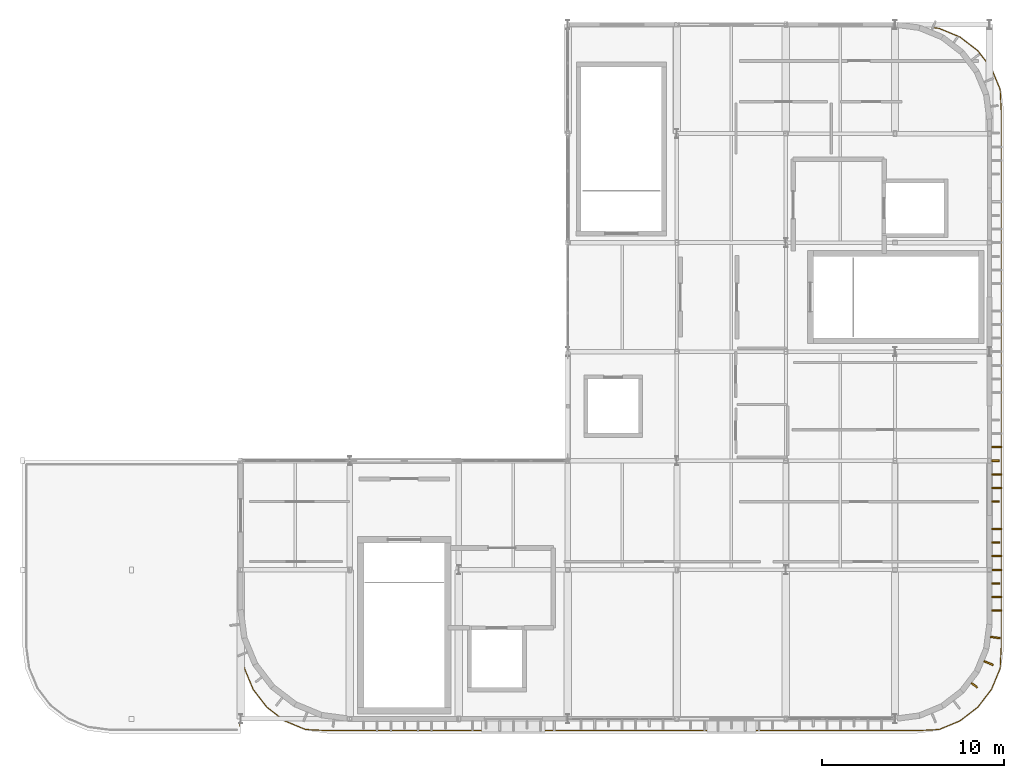
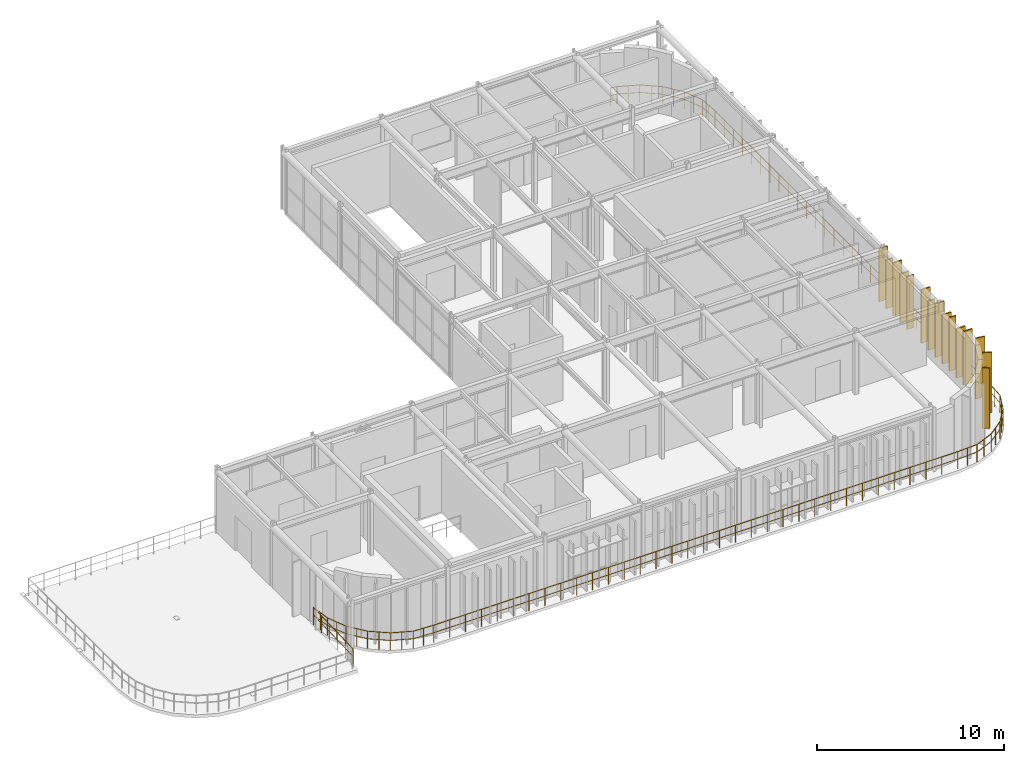
# One storey, part 13 of 14: 15 coverings, 1 railing.
"""IFC4 building model written with IfcOpenShell, lengths in metres."""

from ifc_helpers import new_model, si_unit, direction, frame, origin, origin_2d, place, context, subcontext, project, spatial, rectangle, circle, extrude, material, layer, layer_set, type_object, element, save


model = new_model("IFC4")

# Units and contexts
model_context = context("Model", 3, precision=1e-05, world=origin(), true_north=direction((0.0, 1.0)))
body_context = subcontext(model_context, "Body", "Model", "MODEL_VIEW")
ifc_project = project(units=[si_unit("LENGTHUNIT", "METRE"), si_unit("AREAUNIT", "SQUARE_METRE"), si_unit("VOLUMEUNIT", "CUBIC_METRE"), si_unit("PLANEANGLEUNIT", "RADIAN"), si_unit("MASSUNIT", "GRAM", prefix="KILO")], contexts=[model_context])

# Site, building, storey
site_placement = place(None, origin())
site = spatial("IfcSite", under=ifc_project, at=site_placement, CompositionType="ELEMENT")
building_placement = place(site_placement, origin())
building = spatial("IfcBuilding", under=site, at=building_placement, Name="Varnakota Square Police Headquarters", CompositionType="ELEMENT")
storey_placement = place(building_placement, frame((0.0, 0.0, 30.0)))
storey = spatial("IfcBuildingStorey", under=building, at=storey_placement, Name="L07", CompositionType="ELEMENT", Elevation=30.0)

# Coverings
ifc_material_1 = material(Name="White Anodised Aluminium Vertical Facade Blade 420", Category="aluminium")
ifc_layer_1 = layer(ifc_material_1, 0.0849609375, Name="White Anodised Aluminium Vertical Facade Blade 420")
ifc_layer_set_1 = layer_set([ifc_layer_1], Name="White Anodised Aluminium Vertical Facade Blade 420")
covering_type_1 = type_object("IfcCoveringType", Name="COV-FIN-420", PredefinedType="CLADDING", material=ifc_layer_set_1)
covering_1_placement = place(storey_placement, frame((161.544921875, 8.25, 0.0400390625), z_axis=(0.0, 0.0, 1.0), x_axis=(0.0, 1.0, 0.0)))
element("IfcCovering", 1, at=covering_1_placement, inside=storey, type_object=covering_type_1, Name="Vertical aluminium facade fin FIN-0854", PredefinedType="CLADDING", context=body_context, shape_type="SweptSolid", body=[
    extrude(rectangle(XDim=0.0849609375, YDim=0.419921875, at=origin_2d()), origin(), (0.0, 0.0, 1.0), 3.5),
])
covering_2_placement = place(storey_placement, frame((161.544921875, 10.5, 0.0400390625), z_axis=(0.0, 0.0, 1.0), x_axis=(0.0, 1.0, 0.0)))
element("IfcCovering", 2, at=covering_2_placement, inside=storey, type_object=covering_type_1, Name="Vertical aluminium facade fin FIN-0857", PredefinedType="CLADDING", context=body_context, shape_type="SweptSolid", body=[
    extrude(rectangle(XDim=0.0849609375, YDim=0.419921875, at=origin_2d()), origin(), (0.0, 0.0, 1.0), 3.219970703125),
])
covering_3_placement = place(storey_placement, frame((161.52490234375, 12.75, 0.0400390625), z_axis=(0.0, 0.0, 1.0), x_axis=(0.0, 1.0, 0.0)))
element("IfcCovering", 3, at=covering_3_placement, inside=storey, type_object=covering_type_1, Name="Vertical aluminium facade fin FIN-0859", PredefinedType="CLADDING", context=body_context, shape_type="SweptSolid", body=[
    extrude(rectangle(XDim=0.0849609375, YDim=0.419921875, at=origin_2d()), origin(), (0.0, 0.0, 1.0), 3.449951171875),
])
covering_4_placement = place(storey_placement, frame((161.52490234375, 15.0, 0.0400390625), z_axis=(0.0, 0.0, 1.0), x_axis=(0.0, 1.0, 0.0)))
element("IfcCovering", 4, at=covering_4_placement, inside=storey, type_object=covering_type_1, Name="Vertical aluminium facade fin FIN-0862", PredefinedType="CLADDING", context=body_context, shape_type="SweptSolid", body=[
    extrude(rectangle(XDim=0.0849609375, YDim=0.419921875, at=origin_2d()), origin(), (0.0, 0.0, 1.0), 3.169921875),
])
covering_5_placement = place(storey_placement, frame((160.371826171875, 2.6455078125, 0.0400390625), z_axis=(0.0, 0.0, 1.0), x_axis=(0.608761429009, 0.793353340291, 0.0)))
element("IfcCovering", 5, at=covering_5_placement, inside=storey, type_object=covering_type_1, Name="Vertical aluminium facade fin FIN-0892", PredefinedType="CLADDING", context=body_context, shape_type="SweptSolid", body=[
    extrude(rectangle(XDim=0.0849609375, YDim=0.419921875, at=origin_2d()), origin(), (0.0, 0.0, 1.0), 3.955078125),
])
ifc_material_2 = material(Name="White Anodised Aluminium Vertical Facade Blade 550", Category="aluminium")
ifc_layer_2 = layer(ifc_material_2, 0.0849609375, Name="White Anodised Aluminium Vertical Facade Blade 550")
ifc_layer_set_2 = layer_set([ifc_layer_2], Name="White Anodised Aluminium Vertical Facade Blade 550")
covering_type_2 = type_object("IfcCoveringType", Name="COV-FIN-550", PredefinedType="CLADDING", material=ifc_layer_set_2)
covering_6_placement = place(storey_placement, frame((161.610107421875, 6.75, 0.0400390625), z_axis=(0.0, 0.0, 1.0), x_axis=(0.0, 1.0, 0.0)))
element("IfcCovering", 6, at=covering_6_placement, inside=storey, type_object=covering_type_2, Name="Vertical aluminium facade fin FIN-0852", PredefinedType="CLADDING", context=body_context, shape_type="SweptSolid", body=[
    extrude(rectangle(XDim=0.0849609375, YDim=0.550048828125, at=origin_2d()), origin(), (0.0, 0.0, 1.0), 3.5),
])
for number, where, z_axis, x_axis, name in (
    (7, (161.610107421875, 7.5, 0.0400390625), (0.0, 0.0, 1.0), (0.0, 1.0, 0.0), "Vertical aluminium facade fin FIN-0853"),
    (8, (161.610107421875, 9.0, 0.0400390625), (0.0, 0.0, 1.0), (0.0, 1.0, 0.0), "Vertical aluminium facade fin FIN-0855"),
):
    element("IfcCovering", number, at=place(storey_placement, frame(where, z_axis=z_axis, x_axis=x_axis)), inside=storey, type_object=covering_type_2, Name=name, PredefinedType="CLADDING", context=body_context, shape_type="SweptSolid", body=[
        extrude(rectangle(XDim=0.0849609375, YDim=0.550048828125, at=origin_2d()), origin(), (0.0, 0.0, 1.0), 3.219970703125),
    ])
for number, where, z_axis, x_axis, name in (
    (9, (161.610107421875, 9.75, 0.0400390625), (0.0, 0.0, 1.0), (0.0, 1.0, 0.0), "Vertical aluminium facade fin FIN-0856"),
    (10, (161.610107421875, 11.25, 0.0400390625), (0.0, 0.0, 1.0), (0.0, 1.0, 0.0), "Vertical aluminium facade fin FIN-0858"),
):
    element("IfcCovering", number, at=place(storey_placement, frame(where, z_axis=z_axis, x_axis=x_axis)), inside=storey, type_object=covering_type_2, Name=name, PredefinedType="CLADDING", context=body_context, shape_type="SweptSolid", body=[
        extrude(rectangle(XDim=0.0849609375, YDim=0.550048828125, at=origin_2d()), origin(), (0.0, 0.0, 1.0), 3.5),
    ])
covering_7_placement = place(storey_placement, frame((161.590087890625, 13.5, 0.0400390625), z_axis=(0.0, 0.0, 1.0), x_axis=(0.0, 1.0, 0.0)))
element("IfcCovering", 11, at=covering_7_placement, inside=storey, type_object=covering_type_2, Name="Vertical aluminium facade fin FIN-0860", PredefinedType="CLADDING", context=body_context, shape_type="SweptSolid", body=[
    extrude(rectangle(XDim=0.0849609375, YDim=0.550048828125, at=origin_2d()), origin(), (0.0, 0.0, 1.0), 3.169921875),
])
for number, where, z_axis, x_axis, name in (
    (12, (161.590087890625, 14.25, 0.0400390625), (0.0, 0.0, 1.0), (0.0, 1.0, 0.0), "Vertical aluminium facade fin FIN-0861"),
    (13, (161.590087890625, 15.75, 0.0400390625), (0.0, 0.0, 1.0), (0.0, 1.0, 0.0), "Vertical aluminium facade fin FIN-0863"),
):
    element("IfcCovering", number, at=place(storey_placement, frame(where, z_axis=z_axis, x_axis=x_axis)), inside=storey, type_object=covering_type_2, Name=name, PredefinedType="CLADDING", context=body_context, shape_type="SweptSolid", body=[
        extrude(rectangle(XDim=0.0849609375, YDim=0.550048828125, at=origin_2d()), origin(), (0.0, 0.0, 1.0), 3.449951171875),
    ])
for number, where, z_axis, x_axis, name in (
    (14, (161.151123046875, 3.8662109375, 0.0400390625), (0.0, 0.0, 1.0), (0.382683432365, 0.923879532511, 0.0), "Vertical aluminium facade fin FIN-0893"),
    (15, (161.52783203125, 5.272216796875, 0.0400390625), (0.0, 0.0, 1.0), (0.13052619222, 0.991444861374, 0.0), "Vertical aluminium facade fin FIN-0894"),
):
    element("IfcCovering", number, at=place(storey_placement, frame(where, z_axis=z_axis, x_axis=x_axis)), inside=storey, type_object=covering_type_2, Name=name, PredefinedType="CLADDING", context=body_context, shape_type="SweptSolid", body=[
        extrude(rectangle(XDim=0.0849609375, YDim=0.550048828125, at=origin_2d()), origin(), (0.0, 0.0, 1.0), 3.955078125),
    ])

# Railing
ifc_material_3 = material(Name="Galvanised Powder-Coated Steel Guardrail", Category="steel")
railing_type = type_object("IfcRailingType", Name="RL-BAL-1150", PredefinedType="BALUSTRADE", material=ifc_material_3)
railing_placement = place(storey_placement, frame((158.076171875, 38.834228515625, 0.0)))
element("IfcRailing", 16, at=railing_placement, inside=storey, type_object=railing_type, Name="Perimeter edge safety guard GD-AUTO-L07-094", PredefinedType="BALUSTRADE", context=body_context, shape_type="SweptSolid", body=[
    extrude(circle(Radius=0.02392578125, at=origin_2d()), frame((0.0, 0.0, 1.1259765625), z_axis=(0.991388830753, -0.130951083454, 0.0), x_axis=(0.130951083454, 0.991388830753, 0.0)), (0.0, 0.0, 1.0), 0.356201171875),
    extrude(circle(Radius=0.01806640625, at=origin_2d()), frame((0.0, 0.0, 0.63232421875), z_axis=(0.991388830753, -0.130951083454, 0.0), x_axis=(0.130951083454, 0.991388830753, 0.0)), (0.0, 0.0, 1.0), 0.356201171875),
    extrude(circle(Radius=0.02392578125, at=origin_2d()), frame((0.35302734375, -0.046630859375, 1.1259765625), z_axis=(0.92391364461, -0.38260106809, 0.0), x_axis=(0.38260106809, 0.92391364461, 0.0)), (0.0, 0.0, 1.0), 1.23974609375),
    extrude(circle(Radius=0.01806640625, at=origin_2d()), frame((0.35302734375, -0.046630859375, 0.63232421875), z_axis=(0.92391364461, -0.38260106809, 0.0), x_axis=(0.38260106809, 0.92391364461, 0.0)), (0.0, 0.0, 1.0), 1.23974609375),
    extrude(circle(Radius=0.02392578125, at=origin_2d()), frame((1.49853515625, -0.52099609375, 1.1259765625), z_axis=(0.793311537696, -0.608815903339, 0.0), x_axis=(0.608815903339, 0.793311537696, 0.0)), (0.0, 0.0, 1.0), 1.239990234375),
    extrude(circle(Radius=0.01806640625, at=origin_2d()), frame((1.49853515625, -0.52099609375, 0.63232421875), z_axis=(0.793311537696, -0.608815903339, 0.0), x_axis=(0.608815903339, 0.793311537696, 0.0)), (0.0, 0.0, 1.0), 1.239990234375),
    extrude(circle(Radius=0.02392578125, at=origin_2d()), frame((2.482177734375, -1.27587890625, 1.1259765625), z_axis=(0.608815903339, -0.793311537696, 0.0), x_axis=(0.793311537696, 0.608815903339, 0.0)), (0.0, 0.0, 1.0), 1.239990234375),
    extrude(circle(Radius=0.01806640625, at=origin_2d()), frame((2.482177734375, -1.27587890625, 0.63232421875), z_axis=(0.608815903339, -0.793311537696, 0.0), x_axis=(0.793311537696, 0.608815903339, 0.0)), (0.0, 0.0, 1.0), 1.239990234375),
    extrude(circle(Radius=0.02392578125, at=origin_2d()), frame((3.237060546875, -2.259521484375, 1.1259765625), z_axis=(0.38260106809, -0.92391364461, 0.0), x_axis=(0.92391364461, 0.38260106809, 0.0)), (0.0, 0.0, 1.0), 1.23974609375),
    extrude(circle(Radius=0.01806640625, at=origin_2d()), frame((3.237060546875, -2.259521484375, 0.63232421875), z_axis=(0.38260106809, -0.92391364461, 0.0), x_axis=(0.92391364461, 0.38260106809, 0.0)), (0.0, 0.0, 1.0), 1.23974609375),
    extrude(circle(Radius=0.02392578125, at=origin_2d()), frame((3.71142578125, -3.405029296875, 1.1259765625), z_axis=(0.05064806659, -0.99871656307, 0.0), x_axis=(0.99871656307, 0.05064806659, 0.0)), (0.0, 0.0, 1.0), 1.23388671875),
    extrude(circle(Radius=0.01806640625, at=origin_2d()), frame((3.71142578125, -3.405029296875, 0.63232421875), z_axis=(0.05064806659, -0.99871656307, 0.0), x_axis=(0.99871656307, 0.05064806659, 0.0)), (0.0, 0.0, 1.0), 1.23388671875),
    extrude(circle(Radius=0.02392578125, at=origin_2d()), frame((3.77392578125, -4.637451171875, 1.1259765625), z_axis=(0.0, -1.0, 0.0), x_axis=(1.0, 0.0, 0.0)), (0.0, 0.0, 1.0), 29.3935546875),
    extrude(circle(Radius=0.01806640625, at=origin_2d()), frame((3.77392578125, -4.637451171875, 0.63232421875), z_axis=(0.0, -1.0, 0.0), x_axis=(1.0, 0.0, 0.0)), (0.0, 0.0, 1.0), 29.3935546875),
    extrude(circle(Radius=0.02392578125, at=origin_2d()), frame((3.77392578125, -34.031005859375, 1.1259765625), z_axis=(-0.05064806659, -0.99871656307, 0.0), x_axis=(0.99871656307, -0.05064806659, 0.0)), (0.0, 0.0, 1.0), 1.23388671875),
    extrude(circle(Radius=0.01806640625, at=origin_2d()), frame((3.77392578125, -34.031005859375, 0.63232421875), z_axis=(-0.05064806659, -0.99871656307, 0.0), x_axis=(0.99871656307, -0.05064806659, 0.0)), (0.0, 0.0, 1.0), 1.23388671875),
    extrude(circle(Radius=0.02392578125, at=origin_2d()), frame((3.71142578125, -35.263427734375, 1.1259765625), z_axis=(-0.38260106809, -0.92391364461, 0.0), x_axis=(0.92391364461, -0.38260106809, 0.0)), (0.0, 0.0, 1.0), 1.23974609375),
    extrude(circle(Radius=0.01806640625, at=origin_2d()), frame((3.71142578125, -35.263427734375, 0.63232421875), z_axis=(-0.38260106809, -0.92391364461, 0.0), x_axis=(0.92391364461, -0.38260106809, 0.0)), (0.0, 0.0, 1.0), 1.23974609375),
    extrude(circle(Radius=0.02392578125, at=origin_2d()), frame((3.237060546875, -36.408935546875, 1.1259765625), z_axis=(-0.608815903339, -0.793311537696, 0.0), x_axis=(0.793311537696, -0.608815903339, 0.0)), (0.0, 0.0, 1.0), 1.239990234375),
    extrude(circle(Radius=0.01806640625, at=origin_2d()), frame((3.237060546875, -36.408935546875, 0.63232421875), z_axis=(-0.608815903339, -0.793311537696, 0.0), x_axis=(0.793311537696, -0.608815903339, 0.0)), (0.0, 0.0, 1.0), 1.239990234375),
    extrude(circle(Radius=0.02392578125, at=origin_2d()), frame((2.482177734375, -37.392578125, 1.1259765625), z_axis=(-0.793311537696, -0.608815903339, 0.0), x_axis=(0.608815903339, -0.793311537696, 0.0)), (0.0, 0.0, 1.0), 1.239990234375),
    extrude(circle(Radius=0.01806640625, at=origin_2d()), frame((2.482177734375, -37.392578125, 0.63232421875), z_axis=(-0.793311537696, -0.608815903339, 0.0), x_axis=(0.608815903339, -0.793311537696, 0.0)), (0.0, 0.0, 1.0), 1.239990234375),
    extrude(circle(Radius=0.02392578125, at=origin_2d()), frame((1.49853515625, -38.1474609375, 1.1259765625), z_axis=(-0.92391364461, -0.38260106809, 0.0), x_axis=(0.38260106809, -0.92391364461, 0.0)), (0.0, 0.0, 1.0), 1.23974609375),
    extrude(circle(Radius=0.01806640625, at=origin_2d()), frame((1.49853515625, -38.1474609375, 0.63232421875), z_axis=(-0.92391364461, -0.38260106809, 0.0), x_axis=(0.38260106809, -0.92391364461, 0.0)), (0.0, 0.0, 1.0), 1.23974609375),
    extrude(circle(Radius=0.02392578125, at=origin_2d()), frame((0.35302734375, -38.621826171875, 1.1259765625), z_axis=(-0.99871656307, -0.05064806659, 0.0), x_axis=(0.05064806659, -0.99871656307, 0.0)), (0.0, 0.0, 1.0), 1.23388671875),
    extrude(circle(Radius=0.01806640625, at=origin_2d()), frame((0.35302734375, -38.621826171875, 0.63232421875), z_axis=(-0.99871656307, -0.05064806659, 0.0), x_axis=(0.05064806659, -0.99871656307, 0.0)), (0.0, 0.0, 1.0), 1.23388671875),
    extrude(circle(Radius=0.02392578125, at=origin_2d()), frame((-0.87939453125, -38.684326171875, 1.1259765625), z_axis=(-1.0, 0.0, 0.0), x_axis=(0.0, -1.0, 0.0)), (0.0, 0.0, 1.0), 32.3935546875),
    extrude(circle(Radius=0.01806640625, at=origin_2d()), frame((-0.87939453125, -38.684326171875, 0.63232421875), z_axis=(-1.0, 0.0, 0.0), x_axis=(0.0, -1.0, 0.0)), (0.0, 0.0, 1.0), 32.3935546875),
    extrude(circle(Radius=0.02392578125, at=origin_2d()), frame((-33.27294921875, -38.684326171875, 1.1259765625), z_axis=(-0.99871656307, 0.05064806659, 0.0), x_axis=(-0.05064806659, -0.99871656307, 0.0)), (0.0, 0.0, 1.0), 1.23388671875),
    extrude(circle(Radius=0.01806640625, at=origin_2d()), frame((-33.27294921875, -38.684326171875, 0.63232421875), z_axis=(-0.99871656307, 0.05064806659, 0.0), x_axis=(-0.05064806659, -0.99871656307, 0.0)), (0.0, 0.0, 1.0), 1.23388671875),
    extrude(circle(Radius=0.02392578125, at=origin_2d()), frame((-34.50537109375, -38.621826171875, 1.1259765625), z_axis=(-0.92391364461, 0.38260106809, 0.0), x_axis=(-0.38260106809, -0.92391364461, 0.0)), (0.0, 0.0, 1.0), 1.23974609375),
    extrude(circle(Radius=0.01806640625, at=origin_2d()), frame((-34.50537109375, -38.621826171875, 0.63232421875), z_axis=(-0.92391364461, 0.38260106809, 0.0), x_axis=(-0.38260106809, -0.92391364461, 0.0)), (0.0, 0.0, 1.0), 1.23974609375),
    extrude(circle(Radius=0.02392578125, at=origin_2d()), frame((-35.65087890625, -38.1474609375, 1.1259765625), z_axis=(-0.793311537696, 0.608815903339, 0.0), x_axis=(-0.608815903339, -0.793311537696, 0.0)), (0.0, 0.0, 1.0), 1.239990234375),
    extrude(circle(Radius=0.01806640625, at=origin_2d()), frame((-35.65087890625, -38.1474609375, 0.63232421875), z_axis=(-0.793311537696, 0.608815903339, 0.0), x_axis=(-0.608815903339, -0.793311537696, 0.0)), (0.0, 0.0, 1.0), 1.239990234375),
    extrude(circle(Radius=0.02392578125, at=origin_2d()), frame((-36.634521484375, -37.392578125, 1.1259765625), z_axis=(-0.608815903339, 0.793311537696, 0.0), x_axis=(-0.793311537696, -0.608815903339, 0.0)), (0.0, 0.0, 1.0), 1.239990234375),
    extrude(circle(Radius=0.01806640625, at=origin_2d()), frame((-36.634521484375, -37.392578125, 0.63232421875), z_axis=(-0.608815903339, 0.793311537696, 0.0), x_axis=(-0.793311537696, -0.608815903339, 0.0)), (0.0, 0.0, 1.0), 1.239990234375),
    extrude(circle(Radius=0.02392578125, at=origin_2d()), frame((-37.389404296875, -36.408935546875, 1.1259765625), z_axis=(-0.38260106809, 0.92391364461, 0.0), x_axis=(-0.92391364461, -0.38260106809, 0.0)), (0.0, 0.0, 1.0), 1.23974609375),
    extrude(circle(Radius=0.01806640625, at=origin_2d()), frame((-37.389404296875, -36.408935546875, 0.63232421875), z_axis=(-0.38260106809, 0.92391364461, 0.0), x_axis=(-0.92391364461, -0.38260106809, 0.0)), (0.0, 0.0, 1.0), 1.23974609375),
    extrude(circle(Radius=0.02392578125, at=origin_2d()), frame((-37.86376953125, -35.263427734375, 1.1259765625), z_axis=(-0.130662273581, 0.991426936422, 0.0), x_axis=(-0.991426936422, -0.130662273581, 0.0)), (0.0, 0.0, 1.0), 1.246337890625),
    extrude(circle(Radius=0.01806640625, at=origin_2d()), frame((-37.86376953125, -35.263427734375, 0.63232421875), z_axis=(-0.130662273581, 0.991426936422, 0.0), x_axis=(-0.991426936422, -0.130662273581, 0.0)), (0.0, 0.0, 1.0), 1.246337890625),
    extrude(circle(Radius=0.02392578125, at=origin_2d()), frame((-38.026611328125, -34.02783203125, 1.1259765625), z_axis=(-0.022534467443, -0.999746066647, 0.0), x_axis=(0.999746066647, -0.022534467443, 0.0)), (0.0, 0.0, 1.0), 4.42041015625),
    extrude(circle(Radius=0.01806640625, at=origin_2d()), frame((-38.026611328125, -34.02783203125, 0.63232421875), z_axis=(-0.022534467443, -0.999746066647, 0.0), x_axis=(0.999746066647, -0.022534467443, 0.0)), (0.0, 0.0, 1.0), 4.42041015625),
    extrude(circle(Radius=0.02099609375, at=origin_2d()), origin(), (0.0, 0.0, 1.0), 1.101806640625),
    extrude(circle(Radius=0.02099609375, at=origin_2d()), frame((0.35302734375, -0.046630859375, 0.0)), (0.0, 0.0, 1.0), 1.101806640625),
    extrude(circle(Radius=0.02099609375, at=origin_2d()), frame((0.92578125, -0.28369140625, 0.0)), (0.0, 0.0, 1.0), 1.101806640625),
    extrude(circle(Radius=0.02099609375, at=origin_2d()), frame((1.49853515625, -0.52099609375, 0.0)), (0.0, 0.0, 1.0), 1.101806640625),
    extrude(circle(Radius=0.02099609375, at=origin_2d()), frame((1.990234375, -0.8984375, 0.0)), (0.0, 0.0, 1.0), 1.101806640625),
    extrude(circle(Radius=0.02099609375, at=origin_2d()), frame((2.482177734375, -1.27587890625, 0.0)), (0.0, 0.0, 1.0), 1.101806640625),
    extrude(circle(Radius=0.02099609375, at=origin_2d()), frame((2.859619140625, -1.767578125, 0.0)), (0.0, 0.0, 1.0), 1.101806640625),
    extrude(circle(Radius=0.02099609375, at=origin_2d()), frame((3.237060546875, -2.259521484375, 0.0)), (0.0, 0.0, 1.0), 1.101806640625),
    extrude(circle(Radius=0.02099609375, at=origin_2d()), frame((3.47412109375, -2.832275390625, 0.0)), (0.0, 0.0, 1.0), 1.101806640625),
    extrude(circle(Radius=0.02099609375, at=origin_2d()), frame((3.71142578125, -3.405029296875, 0.0)), (0.0, 0.0, 1.0), 1.101806640625),
    extrude(circle(Radius=0.02099609375, at=origin_2d()), frame((3.74267578125, -4.021240234375, 0.0)), (0.0, 0.0, 1.0), 1.101806640625),
    extrude(circle(Radius=0.02099609375, at=origin_2d()), frame((3.77392578125, -4.637451171875, 0.0)), (0.0, 0.0, 1.0), 1.101806640625),
    extrude(circle(Radius=0.02099609375, at=origin_2d()), frame((3.77392578125, -5.6171875, 0.0)), (0.0, 0.0, 1.0), 1.101806640625),
    extrude(circle(Radius=0.02099609375, at=origin_2d()), frame((3.77392578125, -6.596923828125, 0.0)), (0.0, 0.0, 1.0), 1.101806640625),
    extrude(circle(Radius=0.02099609375, at=origin_2d()), frame((3.77392578125, -7.576904296875, 0.0)), (0.0, 0.0, 1.0), 1.101806640625),
    extrude(circle(Radius=0.02099609375, at=origin_2d()), frame((3.77392578125, -8.556640625, 0.0)), (0.0, 0.0, 1.0), 1.101806640625),
    extrude(circle(Radius=0.02099609375, at=origin_2d()), frame((3.77392578125, -9.536376953125, 0.0)), (0.0, 0.0, 1.0), 1.101806640625),
    extrude(circle(Radius=0.02099609375, at=origin_2d()), frame((3.77392578125, -10.51611328125, 0.0)), (0.0, 0.0, 1.0), 1.101806640625),
    extrude(circle(Radius=0.02099609375, at=origin_2d()), frame((3.77392578125, -11.495849609375, 0.0)), (0.0, 0.0, 1.0), 1.101806640625),
    extrude(circle(Radius=0.02099609375, at=origin_2d()), frame((3.77392578125, -12.475830078125, 0.0)), (0.0, 0.0, 1.0), 1.101806640625),
    extrude(circle(Radius=0.02099609375, at=origin_2d()), frame((3.77392578125, -13.45556640625, 0.0)), (0.0, 0.0, 1.0), 1.101806640625),
    extrude(circle(Radius=0.02099609375, at=origin_2d()), frame((3.77392578125, -14.435302734375, 0.0)), (0.0, 0.0, 1.0), 1.101806640625),
    extrude(circle(Radius=0.02099609375, at=origin_2d()), frame((3.77392578125, -15.4150390625, 0.0)), (0.0, 0.0, 1.0), 1.101806640625),
    extrude(circle(Radius=0.02099609375, at=origin_2d()), frame((3.77392578125, -16.394775390625, 0.0)), (0.0, 0.0, 1.0), 1.101806640625),
    extrude(circle(Radius=0.02099609375, at=origin_2d()), frame((3.77392578125, -17.374755859375, 0.0)), (0.0, 0.0, 1.0), 1.101806640625),
    extrude(circle(Radius=0.02099609375, at=origin_2d()), frame((3.77392578125, -18.3544921875, 0.0)), (0.0, 0.0, 1.0), 1.101806640625),
    extrude(circle(Radius=0.02099609375, at=origin_2d()), frame((3.77392578125, -19.334228515625, 0.0)), (0.0, 0.0, 1.0), 1.101806640625),
    extrude(circle(Radius=0.02099609375, at=origin_2d()), frame((3.77392578125, -20.31396484375, 0.0)), (0.0, 0.0, 1.0), 1.101806640625),
    extrude(circle(Radius=0.02099609375, at=origin_2d()), frame((3.77392578125, -21.293701171875, 0.0)), (0.0, 0.0, 1.0), 1.101806640625),
    extrude(circle(Radius=0.02099609375, at=origin_2d()), frame((3.77392578125, -22.273681640625, 0.0)), (0.0, 0.0, 1.0), 1.101806640625),
    extrude(circle(Radius=0.02099609375, at=origin_2d()), frame((3.77392578125, -23.25341796875, 0.0)), (0.0, 0.0, 1.0), 1.101806640625),
    extrude(circle(Radius=0.02099609375, at=origin_2d()), frame((3.77392578125, -24.233154296875, 0.0)), (0.0, 0.0, 1.0), 1.101806640625),
    extrude(circle(Radius=0.02099609375, at=origin_2d()), frame((3.77392578125, -25.212890625, 0.0)), (0.0, 0.0, 1.0), 1.101806640625),
    extrude(circle(Radius=0.02099609375, at=origin_2d()), frame((3.77392578125, -26.192626953125, 0.0)), (0.0, 0.0, 1.0), 1.101806640625),
    extrude(circle(Radius=0.02099609375, at=origin_2d()), frame((3.77392578125, -27.172607421875, 0.0)), (0.0, 0.0, 1.0), 1.101806640625),
    extrude(circle(Radius=0.02099609375, at=origin_2d()), frame((3.77392578125, -28.15234375, 0.0)), (0.0, 0.0, 1.0), 1.101806640625),
    extrude(circle(Radius=0.02099609375, at=origin_2d()), frame((3.77392578125, -29.132080078125, 0.0)), (0.0, 0.0, 1.0), 1.101806640625),
    extrude(circle(Radius=0.02099609375, at=origin_2d()), frame((3.77392578125, -30.11181640625, 0.0)), (0.0, 0.0, 1.0), 1.101806640625),
    extrude(circle(Radius=0.02099609375, at=origin_2d()), frame((3.77392578125, -31.091552734375, 0.0)), (0.0, 0.0, 1.0), 1.101806640625),
    extrude(circle(Radius=0.02099609375, at=origin_2d()), frame((3.77392578125, -32.071533203125, 0.0)), (0.0, 0.0, 1.0), 1.101806640625),
    extrude(circle(Radius=0.02099609375, at=origin_2d()), frame((3.77392578125, -33.05126953125, 0.0)), (0.0, 0.0, 1.0), 1.101806640625),
    extrude(circle(Radius=0.02099609375, at=origin_2d()), frame((3.77392578125, -34.031005859375, 0.0)), (0.0, 0.0, 1.0), 1.101806640625),
    extrude(circle(Radius=0.02099609375, at=origin_2d()), frame((3.74267578125, -34.647216796875, 0.0)), (0.0, 0.0, 1.0), 1.101806640625),
    extrude(circle(Radius=0.02099609375, at=origin_2d()), frame((3.71142578125, -35.263427734375, 0.0)), (0.0, 0.0, 1.0), 1.101806640625),
    extrude(circle(Radius=0.02099609375, at=origin_2d()), frame((3.47412109375, -35.836181640625, 0.0)), (0.0, 0.0, 1.0), 1.101806640625),
    extrude(circle(Radius=0.02099609375, at=origin_2d()), frame((3.237060546875, -36.408935546875, 0.0)), (0.0, 0.0, 1.0), 1.101806640625),
    extrude(circle(Radius=0.02099609375, at=origin_2d()), frame((2.859619140625, -36.90087890625, 0.0)), (0.0, 0.0, 1.0), 1.101806640625),
    extrude(circle(Radius=0.02099609375, at=origin_2d()), frame((2.482177734375, -37.392578125, 0.0)), (0.0, 0.0, 1.0), 1.101806640625),
    extrude(circle(Radius=0.02099609375, at=origin_2d()), frame((1.990234375, -37.77001953125, 0.0)), (0.0, 0.0, 1.0), 1.101806640625),
    extrude(circle(Radius=0.02099609375, at=origin_2d()), frame((1.49853515625, -38.1474609375, 0.0)), (0.0, 0.0, 1.0), 1.101806640625),
    extrude(circle(Radius=0.02099609375, at=origin_2d()), frame((0.92578125, -38.384765625, 0.0)), (0.0, 0.0, 1.0), 1.101806640625),
    extrude(circle(Radius=0.02099609375, at=origin_2d()), frame((0.35302734375, -38.621826171875, 0.0)), (0.0, 0.0, 1.0), 1.101806640625),
    extrude(circle(Radius=0.02099609375, at=origin_2d()), frame((-0.26318359375, -38.653076171875, 0.0)), (0.0, 0.0, 1.0), 1.101806640625),
    extrude(circle(Radius=0.02099609375, at=origin_2d()), frame((-0.87939453125, -38.684326171875, 0.0)), (0.0, 0.0, 1.0), 1.101806640625),
    extrude(circle(Radius=0.02099609375, at=origin_2d()), frame((-1.861083984375, -38.684326171875, 0.0)), (0.0, 0.0, 1.0), 1.101806640625),
    extrude(circle(Radius=0.02099609375, at=origin_2d()), frame((-2.842529296875, -38.684326171875, 0.0)), (0.0, 0.0, 1.0), 1.101806640625),
    extrude(circle(Radius=0.02099609375, at=origin_2d()), frame((-3.82421875, -38.684326171875, 0.0)), (0.0, 0.0, 1.0), 1.101806640625),
    extrude(circle(Radius=0.02099609375, at=origin_2d()), frame((-4.805908203125, -38.684326171875, 0.0)), (0.0, 0.0, 1.0), 1.101806640625),
    extrude(circle(Radius=0.02099609375, at=origin_2d()), frame((-5.78759765625, -38.684326171875, 0.0)), (0.0, 0.0, 1.0), 1.101806640625),
    extrude(circle(Radius=0.02099609375, at=origin_2d()), frame((-6.76904296875, -38.684326171875, 0.0)), (0.0, 0.0, 1.0), 1.101806640625),
    extrude(circle(Radius=0.02099609375, at=origin_2d()), frame((-7.750732421875, -38.684326171875, 0.0)), (0.0, 0.0, 1.0), 1.101806640625),
    extrude(circle(Radius=0.02099609375, at=origin_2d()), frame((-8.732421875, -38.684326171875, 0.0)), (0.0, 0.0, 1.0), 1.101806640625),
    extrude(circle(Radius=0.02099609375, at=origin_2d()), frame((-9.714111328125, -38.684326171875, 0.0)), (0.0, 0.0, 1.0), 1.101806640625),
    extrude(circle(Radius=0.02099609375, at=origin_2d()), frame((-10.695556640625, -38.684326171875, 0.0)), (0.0, 0.0, 1.0), 1.101806640625),
    extrude(circle(Radius=0.02099609375, at=origin_2d()), frame((-11.67724609375, -38.684326171875, 0.0)), (0.0, 0.0, 1.0), 1.101806640625),
    extrude(circle(Radius=0.02099609375, at=origin_2d()), frame((-12.658935546875, -38.684326171875, 0.0)), (0.0, 0.0, 1.0), 1.101806640625),
    extrude(circle(Radius=0.02099609375, at=origin_2d()), frame((-13.640380859375, -38.684326171875, 0.0)), (0.0, 0.0, 1.0), 1.101806640625),
    extrude(circle(Radius=0.02099609375, at=origin_2d()), frame((-14.6220703125, -38.684326171875, 0.0)), (0.0, 0.0, 1.0), 1.101806640625),
    extrude(circle(Radius=0.02099609375, at=origin_2d()), frame((-15.603759765625, -38.684326171875, 0.0)), (0.0, 0.0, 1.0), 1.101806640625),
    extrude(circle(Radius=0.02099609375, at=origin_2d()), frame((-16.58544921875, -38.684326171875, 0.0)), (0.0, 0.0, 1.0), 1.101806640625),
    extrude(circle(Radius=0.02099609375, at=origin_2d()), frame((-17.56689453125, -38.684326171875, 0.0)), (0.0, 0.0, 1.0), 1.101806640625),
    extrude(circle(Radius=0.02099609375, at=origin_2d()), frame((-18.548583984375, -38.684326171875, 0.0)), (0.0, 0.0, 1.0), 1.101806640625),
    extrude(circle(Radius=0.02099609375, at=origin_2d()), frame((-19.5302734375, -38.684326171875, 0.0)), (0.0, 0.0, 1.0), 1.101806640625),
    extrude(circle(Radius=0.02099609375, at=origin_2d()), frame((-20.511962890625, -38.684326171875, 0.0)), (0.0, 0.0, 1.0), 1.101806640625),
    extrude(circle(Radius=0.02099609375, at=origin_2d()), frame((-21.493408203125, -38.684326171875, 0.0)), (0.0, 0.0, 1.0), 1.101806640625),
    extrude(circle(Radius=0.02099609375, at=origin_2d()), frame((-22.47509765625, -38.684326171875, 0.0)), (0.0, 0.0, 1.0), 1.101806640625),
    extrude(circle(Radius=0.02099609375, at=origin_2d()), frame((-23.456787109375, -38.684326171875, 0.0)), (0.0, 0.0, 1.0), 1.101806640625),
    extrude(circle(Radius=0.02099609375, at=origin_2d()), frame((-24.438232421875, -38.684326171875, 0.0)), (0.0, 0.0, 1.0), 1.101806640625),
    extrude(circle(Radius=0.02099609375, at=origin_2d()), frame((-25.419921875, -38.684326171875, 0.0)), (0.0, 0.0, 1.0), 1.101806640625),
    extrude(circle(Radius=0.02099609375, at=origin_2d()), frame((-26.401611328125, -38.684326171875, 0.0)), (0.0, 0.0, 1.0), 1.101806640625),
    extrude(circle(Radius=0.02099609375, at=origin_2d()), frame((-27.38330078125, -38.684326171875, 0.0)), (0.0, 0.0, 1.0), 1.101806640625),
    extrude(circle(Radius=0.02099609375, at=origin_2d()), frame((-28.36474609375, -38.684326171875, 0.0)), (0.0, 0.0, 1.0), 1.101806640625),
    extrude(circle(Radius=0.02099609375, at=origin_2d()), frame((-29.346435546875, -38.684326171875, 0.0)), (0.0, 0.0, 1.0), 1.101806640625),
    extrude(circle(Radius=0.02099609375, at=origin_2d()), frame((-30.328125, -38.684326171875, 0.0)), (0.0, 0.0, 1.0), 1.101806640625),
    extrude(circle(Radius=0.02099609375, at=origin_2d()), frame((-31.309814453125, -38.684326171875, 0.0)), (0.0, 0.0, 1.0), 1.101806640625),
    extrude(circle(Radius=0.02099609375, at=origin_2d()), frame((-32.291259765625, -38.684326171875, 0.0)), (0.0, 0.0, 1.0), 1.101806640625),
    extrude(circle(Radius=0.02099609375, at=origin_2d()), frame((-33.27294921875, -38.684326171875, 0.0)), (0.0, 0.0, 1.0), 1.101806640625),
    extrude(circle(Radius=0.02099609375, at=origin_2d()), frame((-33.88916015625, -38.653076171875, 0.0)), (0.0, 0.0, 1.0), 1.101806640625),
    extrude(circle(Radius=0.02099609375, at=origin_2d()), frame((-34.50537109375, -38.621826171875, 0.0)), (0.0, 0.0, 1.0), 1.101806640625),
    extrude(circle(Radius=0.02099609375, at=origin_2d()), frame((-35.078125, -38.384765625, 0.0)), (0.0, 0.0, 1.0), 1.101806640625),
    extrude(circle(Radius=0.02099609375, at=origin_2d()), frame((-35.65087890625, -38.1474609375, 0.0)), (0.0, 0.0, 1.0), 1.101806640625),
    extrude(circle(Radius=0.02099609375, at=origin_2d()), frame((-36.142578125, -37.77001953125, 0.0)), (0.0, 0.0, 1.0), 1.101806640625),
    extrude(circle(Radius=0.02099609375, at=origin_2d()), frame((-36.634521484375, -37.392578125, 0.0)), (0.0, 0.0, 1.0), 1.101806640625),
    extrude(circle(Radius=0.02099609375, at=origin_2d()), frame((-37.011962890625, -36.90087890625, 0.0)), (0.0, 0.0, 1.0), 1.101806640625),
    extrude(circle(Radius=0.02099609375, at=origin_2d()), frame((-37.389404296875, -36.408935546875, 0.0)), (0.0, 0.0, 1.0), 1.101806640625),
    extrude(circle(Radius=0.02099609375, at=origin_2d()), frame((-37.62646484375, -35.836181640625, 0.0)), (0.0, 0.0, 1.0), 1.101806640625),
    extrude(circle(Radius=0.02099609375, at=origin_2d()), frame((-37.86376953125, -35.263427734375, 0.0)), (0.0, 0.0, 1.0), 1.101806640625),
    extrude(circle(Radius=0.02099609375, at=origin_2d()), frame((-37.9453125, -34.6455078125, 0.0)), (0.0, 0.0, 1.0), 1.101806640625),
    extrude(circle(Radius=0.02099609375, at=origin_2d()), frame((-38.026611328125, -34.02783203125, 0.0)), (0.0, 0.0, 1.0), 1.101806640625),
    extrude(circle(Radius=0.02099609375, at=origin_2d()), frame((-38.046630859375, -34.91162109375, 0.0)), (0.0, 0.0, 1.0), 1.101806640625),
    extrude(circle(Radius=0.02099609375, at=origin_2d()), frame((-38.06640625, -35.79541015625, 0.0)), (0.0, 0.0, 1.0), 1.101806640625),
    extrude(circle(Radius=0.02099609375, at=origin_2d()), frame((-38.08642578125, -36.679443359375, 0.0)), (0.0, 0.0, 1.0), 1.101806640625),
    extrude(circle(Radius=0.02099609375, at=origin_2d()), frame((-38.106201171875, -37.563232421875, 0.0)), (0.0, 0.0, 1.0), 1.101806640625),
    extrude(circle(Radius=0.02099609375, at=origin_2d()), frame((-38.126220703125, -38.447021484375, 0.0)), (0.0, 0.0, 1.0), 1.101806640625),
])

save(model, "model.ifc")
